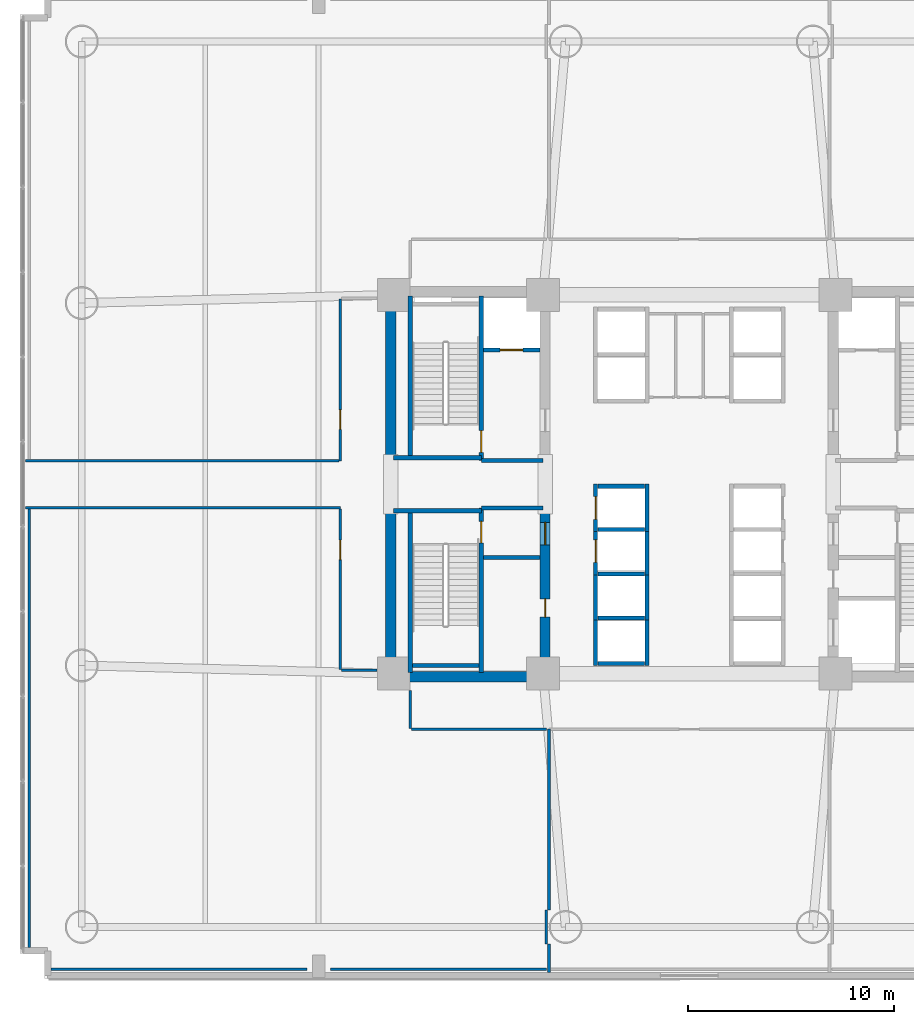
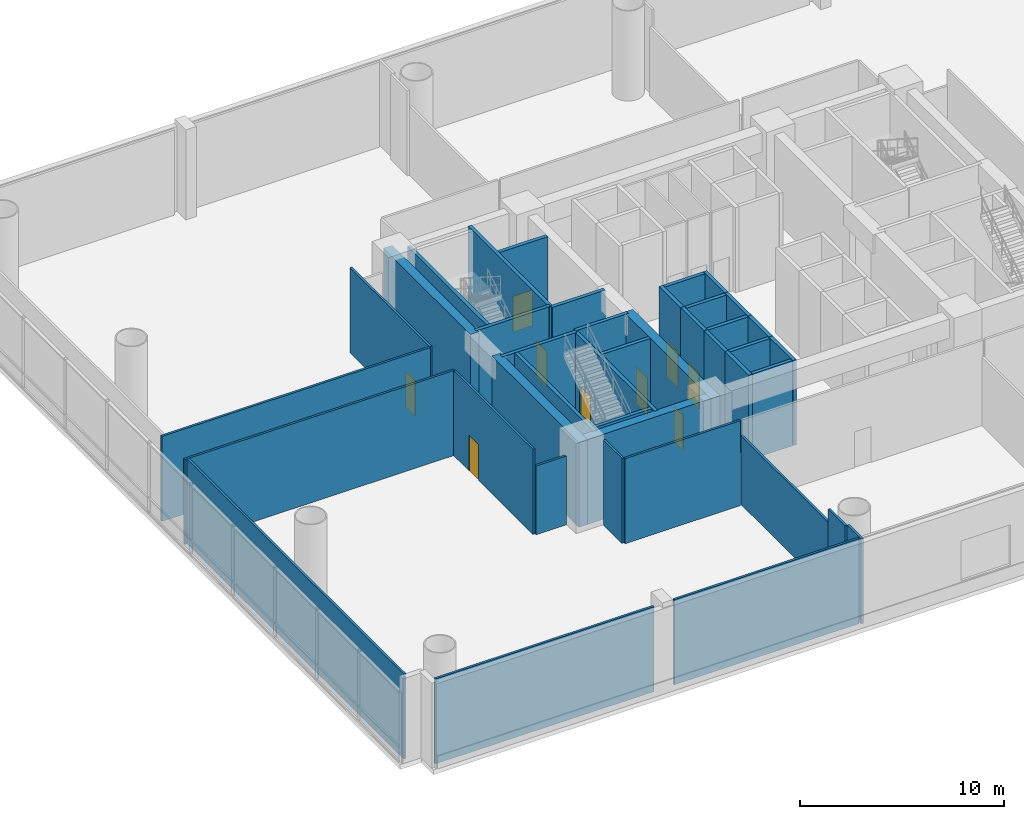
# One storey, part 7 of 15: 41 walls, 9 doors, 9 openings.
"""IFC4 building model written with IfcOpenShell, lengths in metres."""

from ifc_helpers import new_model, si_unit, direction, frame, frame_2d, origin, place, context, subcontext, project, spatial, rectangle, extrude, source, transform, mapped, material, layer, layer_set, type_object, element, fill, save


model = new_model("IFC4")

# Units and contexts
model_context = context("Model", 3, precision=1e-05, world=origin(), true_north=direction((0.0, 1.0)))
body_context = subcontext(model_context, "Body", "Model", "MODEL_VIEW")
ifc_project = project(units=[si_unit("LENGTHUNIT", "METRE"), si_unit("AREAUNIT", "SQUARE_METRE"), si_unit("VOLUMEUNIT", "CUBIC_METRE"), si_unit("PLANEANGLEUNIT", "RADIAN"), si_unit("MASSUNIT", "GRAM", prefix="KILO")], contexts=[model_context])

# Site, building, storey
site_placement = place(None, origin())
site = spatial("IfcSite", under=ifc_project, at=site_placement, CompositionType="ELEMENT")
building_placement = place(site_placement, origin())
building = spatial("IfcBuilding", under=site, at=building_placement, Name="Zahravan Cultural Tower", CompositionType="ELEMENT")
storey_placement = place(building_placement, frame((0.0, 0.0, 7.199951171875)))
storey = spatial("IfcBuildingStorey", under=building, at=storey_placement, Name="L01", CompositionType="ELEMENT", Elevation=7.199951171875)

# Wall, openings, doors
ifc_material_1 = material(Name="Concrete C60/75", Category="concrete")
ifc_layer_1 = layer(ifc_material_1, 0.5)
ifc_layer_set_1 = layer_set([ifc_layer_1], Name="Concrete C60/75")
wall_type_1 = type_object("IfcWallType", Name="CW-SHEAR-500-C60", PredefinedType="SHEAR", material=ifc_layer_set_1)
wall_1_placement = place(storey_placement, frame((29.0, 17.39990234375, 0.0), z_axis=(0.0, 0.0, 1.0), x_axis=(0.0, 1.0, 0.0)))
wall_1 = element("IfcWall", 1, at=wall_1_placement, inside=storey, type_object=wall_type_1, Name="L01 Core Shear Wall CW-W-ES-L01", PredefinedType="SHEAR", context=body_context, shape_type="SweptSolid", body=[
    extrude(rectangle(XDim=8.550048828125, YDim=0.5, at=frame_2d((4.27490234375, 0.0))), origin(), (0.0, 0.0, 1.0), 5.10009765625),
])
opening_1_placement = place(wall_1_placement, frame((6.64990234375, 0.0, 0.0)))
opening_1 = element("IfcOpeningElement", 2, at=opening_1_placement, cuts=wall_1, Name="Opening D-L01-07", PredefinedType="OPENING", context=body_context, shape_type="SweptSolid", body=[
    extrude(rectangle(XDim=1.10009765625, YDim=2.199951171875, at=frame_2d((0.550048828125, 1.10009765625))), frame((0.0, 0.260009765625, 0.0), z_axis=(0.0, -1.0, 0.0), x_axis=(1.0, 0.0, 0.0)), (0.0, 0.0, 1.0), 0.52001953125),
])
opening_2_placement = place(wall_1_placement, frame((3.14990234375, 0.0, 0.0)))
opening_2 = element("IfcOpeningElement", 3, at=opening_2_placement, cuts=wall_1, Name="Opening D-L01-09", PredefinedType="OPENING", context=body_context, shape_type="SweptSolid", body=[
    extrude(rectangle(XDim=0.8798828125, YDim=2.10009765625, at=frame_2d((0.43994140625, 1.050048828125))), frame((0.0, 0.260009765625, 0.0), z_axis=(0.0, -1.0, 0.0), x_axis=(1.0, 0.0, 0.0)), (0.0, 0.0, 1.0), 0.52001953125),
])
ifc_material_2 = material(Name="Steel ASTM A572 Grade 50", Category="steel")
door_type_1 = type_object("IfcDoorType", Name="DR-LOBBY-1100", OperationType="NOTDEFINED", PredefinedType="DOOR", material=ifc_material_2)
shared_shape_1 = source(origin(), body_context, "Body", "SweptSolid", [
    extrude(rectangle(XDim=1.10009765625, YDim=2.199951171875, at=frame_2d((0.550048828125, 1.10009765625))), frame((0.0, 0.02490234375, 0.0), z_axis=(0.0, -1.0, 0.0), x_axis=(1.0, 0.0, 0.0)), (0.0, 0.0, 1.0), 0.050048828125),
])
door_1_placement = place(opening_1_placement, origin())
door_1 = element("IfcDoor", 4, at=door_1_placement, inside=storey, type_object=door_type_1, Name="L01 Door D-L01-07", OperationType="SINGLE_SWING_LEFT", OverallHeight=2.199951171875, OverallWidth=1.10009765625, PredefinedType="DOOR", context=body_context, shape_type="MappedRepresentation", body=[
    mapped(shared_shape_1, transform((0.0, 0.0, 0.0), x_axis=(1.0, 0.0, 0.0), y_axis=(0.0, 1.0, 0.0), z_axis=(0.0, 0.0, 1.0), scale=1.0)),
])
fill(opening_1, door_1)
door_type_2 = type_object("IfcDoorType", Name="DR-SVC-880", OperationType="NOTDEFINED", PredefinedType="DOOR", material=ifc_material_2)
shared_shape_2 = source(origin(), body_context, "Body", "SweptSolid", [
    extrude(rectangle(XDim=0.8798828125, YDim=2.10009765625, at=frame_2d((0.43994140625, 1.050048828125))), frame((0.0, 0.02490234375, 0.0), z_axis=(0.0, -1.0, 0.0), x_axis=(1.0, 0.0, 0.0)), (0.0, 0.0, 1.0), 0.050048828125),
])
door_2_placement = place(opening_2_placement, origin())
door_2 = element("IfcDoor", 5, at=door_2_placement, inside=storey, type_object=door_type_2, Name="L01 Door D-L01-09", OperationType="SINGLE_SWING_LEFT", OverallHeight=2.10009765625, OverallWidth=0.8798828125, PredefinedType="DOOR", context=body_context, shape_type="MappedRepresentation", body=[
    mapped(shared_shape_2, transform((0.0, 0.0, 0.0), x_axis=(1.0, 0.0, 0.0), y_axis=(0.0, 1.0, 0.0), z_axis=(0.0, 0.0, 1.0), scale=1.0)),
])
fill(opening_2, door_2)

# Wall, opening, door
ifc_material_3 = material(Name="Gypsum plasterboard partition")
ifc_layer_2 = layer(ifc_material_3, 0.125)
ifc_layer_set_2 = layer_set([ifc_layer_2], Name="Gypsum plasterboard partition")
wall_type_2 = type_object("IfcWallType", Name="W-PART-125", PredefinedType="PARTITIONING", material=ifc_layer_set_2)
wall_2_placement = place(storey_placement, frame((19.06005859375, 25.79248046875, 0.0), z_axis=(0.0, 0.0, 1.0), x_axis=(0.0, -1.0, 0.0)))
wall_2 = element("IfcWall", 6, at=wall_2_placement, inside=storey, type_object=wall_type_2, Name="L01 Interior Wall 090", PredefinedType="PARTITIONING", context=body_context, shape_type="SweptSolid", body=[
    extrude(rectangle(XDim=7.78515625, YDim=0.125, at=frame_2d((3.892578125, 0.0))), origin(), (0.0, 0.0, 1.0), 5.10009765625),
])
opening_3_placement = place(wall_2_placement, frame((1.503662109375, 0.0, 0.0)))
opening_3 = element("IfcOpeningElement", 7, at=opening_3_placement, cuts=wall_2, Name="Opening D-L01-14", PredefinedType="OPENING", context=body_context, shape_type="SweptSolid", body=[
    extrude(rectangle(XDim=0.949951171875, YDim=2.14990234375, at=frame_2d((0.47509765625, 1.074951171875))), frame((0.0, 0.072509765625, 0.0), z_axis=(0.0, -1.0, 0.0), x_axis=(1.0, 0.0, 0.0)), (0.0, 0.0, 1.0), 0.14501953125),
])
ifc_material_4 = material(Name="Anodised bronze-aluminium mullion", Category="aluminium")
door_type_3 = type_object("IfcDoorType", Name="DR-ROOM-950", OperationType="NOTDEFINED", PredefinedType="DOOR", material=ifc_material_4)
shared_shape_3 = source(origin(), body_context, "Body", "SweptSolid", [
    extrude(rectangle(XDim=0.949951171875, YDim=2.14990234375, at=frame_2d((0.47509765625, 1.074951171875))), frame((0.0, 0.02490234375, 0.0), z_axis=(0.0, -1.0, 0.0), x_axis=(1.0, 0.0, 0.0)), (0.0, 0.0, 1.0), 0.050048828125),
])
door_3_placement = place(opening_3_placement, origin())
door_3 = element("IfcDoor", 8, at=door_3_placement, inside=storey, type_object=door_type_3, Name="L01 Door D-L01-14", OperationType="SINGLE_SWING_RIGHT", OverallHeight=2.14990234375, OverallWidth=0.949951171875, PredefinedType="DOOR", context=body_context, shape_type="MappedRepresentation", body=[
    mapped(shared_shape_3, transform((0.0, 0.0, 0.0), x_axis=(1.0, 0.0, 0.0), y_axis=(0.0, 1.0, 0.0), z_axis=(0.0, 0.0, 1.0), scale=1.0)),
])
fill(opening_3, door_3)

wall_3_placement = place(storey_placement, frame((19.06005859375, 35.994140625, 0.0), z_axis=(0.0, 0.0, 1.0), x_axis=(0.0, -1.0, 0.0)))
wall_3 = element("IfcWall", 9, at=wall_3_placement, inside=storey, type_object=wall_type_2, Name="L01 Interior Wall 099", PredefinedType="PARTITIONING", context=body_context, shape_type="SweptSolid", body=[
    extrude(rectangle(XDim=7.854248046875, YDim=0.125, at=frame_2d((3.92724609375, 0.0))), origin(), (0.0, 0.0, 1.0), 5.10009765625),
])
opening_4_placement = place(wall_3_placement, frame((5.38525390625, 0.0, 0.0)))
opening_4 = element("IfcOpeningElement", 10, at=opening_4_placement, cuts=wall_3, Name="Opening D-L01-15", PredefinedType="OPENING", context=body_context, shape_type="SweptSolid", body=[
    extrude(rectangle(XDim=0.949951171875, YDim=2.14990234375, at=frame_2d((0.47509765625, 1.074951171875))), frame((0.0, 0.072509765625, 0.0), z_axis=(0.0, -1.0, 0.0), x_axis=(1.0, 0.0, 0.0)), (0.0, 0.0, 1.0), 0.14501953125),
])
door_4_placement = place(opening_4_placement, origin())
door_4 = element("IfcDoor", 11, at=door_4_placement, inside=storey, type_object=door_type_3, Name="L01 Door D-L01-15", OperationType="SINGLE_SWING_LEFT", OverallHeight=2.14990234375, OverallWidth=0.949951171875, PredefinedType="DOOR", context=body_context, shape_type="MappedRepresentation", body=[
    mapped(shared_shape_3, transform((0.0, 0.0, 0.0), x_axis=(1.0, 0.0, 0.0), y_axis=(0.0, 1.0, 0.0), z_axis=(0.0, 0.0, 1.0), scale=1.0)),
])
fill(opening_4, door_4)

ifc_material_5 = material(Name="Concrete C45/55", Category="concrete")
ifc_layer_3 = layer(ifc_material_5, 0.199951171875)
ifc_layer_set_3 = layer_set([ifc_layer_3], Name="Concrete C45/55")
wall_type_3 = type_object("IfcWallType", Name="W-SHAFT-200", PredefinedType="SOLIDWALL", material=ifc_layer_set_3)
wall_4_placement = place(storey_placement, frame((25.89990234375, 17.85009765625, 0.0), z_axis=(0.0, 0.0, 1.0), x_axis=(0.0, 1.0, 0.0)))
wall_4 = element("IfcWall", 12, at=wall_4_placement, inside=storey, type_object=wall_type_3, Name="L01 Interior Wall 005", PredefinedType="SOLIDWALL", context=body_context, shape_type="SweptSolid", body=[
    extrude(rectangle(XDim=8.0, YDim=0.199951171875, at=frame_2d((4.0, 0.0))), origin(), (0.0, 0.0, 1.0), 5.10009765625),
])
opening_5_placement = place(wall_4_placement, frame((6.300048828125, 0.0, 0.0)))
opening_5 = element("IfcOpeningElement", 13, at=opening_5_placement, cuts=wall_4, Name="Opening D-L01-04", PredefinedType="OPENING", context=body_context, shape_type="SweptSolid", body=[
    extrude(rectangle(XDim=1.050048828125, YDim=2.14990234375, at=frame_2d((0.52490234375, 1.074951171875))), frame((0.0, 0.10986328125, 0.0), z_axis=(0.0, -1.0, 0.0), x_axis=(1.0, 0.0, 0.0)), (0.0, 0.0, 1.0), 0.219970703125),
])
door_type_4 = type_object("IfcDoorType", Name="DR-STAIR-1050", OperationType="NOTDEFINED", PredefinedType="DOOR", material=ifc_material_2)
shared_shape_4 = source(origin(), body_context, "Body", "SweptSolid", [
    extrude(rectangle(XDim=1.050048828125, YDim=2.14990234375, at=frame_2d((0.52490234375, 1.074951171875))), frame((0.0, 0.02490234375, 0.0), z_axis=(0.0, -1.0, 0.0), x_axis=(1.0, 0.0, 0.0)), (0.0, 0.0, 1.0), 0.050048828125),
])
door_5_placement = place(opening_5_placement, origin())
door_5 = element("IfcDoor", 14, at=door_5_placement, inside=storey, type_object=door_type_4, Name="L01 Door D-L01-04", OperationType="SINGLE_SWING_RIGHT", OverallHeight=2.14990234375, OverallWidth=1.050048828125, PredefinedType="DOOR", context=body_context, shape_type="MappedRepresentation", body=[
    mapped(shared_shape_4, transform((0.0, 0.0, 0.0), x_axis=(1.0, 0.0, 0.0), y_axis=(0.0, 1.0, 0.0), z_axis=(0.0, 0.0, 1.0), scale=1.0)),
])
fill(opening_5, door_5)

wall_5_placement = place(storey_placement, frame((25.89990234375, 28.14990234375, 0.0), z_axis=(0.0, 0.0, 1.0), x_axis=(0.0, 1.0, 0.0)))
wall_5 = element("IfcWall", 15, at=wall_5_placement, inside=storey, type_object=wall_type_3, Name="L01 Interior Wall 006", PredefinedType="SOLIDWALL", context=body_context, shape_type="SweptSolid", body=[
    extrude(rectangle(XDim=8.0, YDim=0.199951171875, at=frame_2d((4.0, 0.0))), origin(), (0.0, 0.0, 1.0), 5.10009765625),
])
opening_6_placement = place(wall_5_placement, frame((0.39990234375, 0.0, 0.0)))
opening_6 = element("IfcOpeningElement", 16, at=opening_6_placement, cuts=wall_5, Name="Opening D-L01-01", PredefinedType="OPENING", context=body_context, shape_type="SweptSolid", body=[
    extrude(rectangle(XDim=1.050048828125, YDim=2.14990234375, at=frame_2d((0.52490234375, 1.074951171875))), frame((0.0, 0.10986328125, 0.0), z_axis=(0.0, -1.0, 0.0), x_axis=(1.0, 0.0, 0.0)), (0.0, 0.0, 1.0), 0.219970703125),
])
door_6_placement = place(opening_6_placement, origin())
door_6 = element("IfcDoor", 17, at=door_6_placement, inside=storey, type_object=door_type_4, Name="L01 Door D-L01-01", OperationType="SINGLE_SWING_LEFT", OverallHeight=2.14990234375, OverallWidth=1.050048828125, PredefinedType="DOOR", context=body_context, shape_type="MappedRepresentation", body=[
    mapped(shared_shape_4, transform((0.0, 0.0, 0.0), x_axis=(1.0, 0.0, 0.0), y_axis=(0.0, 1.0, 0.0), z_axis=(0.0, 0.0, 1.0), scale=1.0)),
])
fill(opening_6, door_6)

wall_6_placement = place(storey_placement, frame((26.0, 33.52001953125, 0.0), z_axis=(0.0, 0.0, 1.0), x_axis=(1.0, 0.0, 0.0)))
wall_6 = element("IfcWall", 18, at=wall_6_placement, inside=storey, type_object=wall_type_3, Name="L01 Interior Wall 021", PredefinedType="SOLIDWALL", context=body_context, shape_type="SweptSolid", body=[
    extrude(rectangle(XDim=2.75, YDim=0.199951171875, at=frame_2d((1.375, 0.0))), origin(), (0.0, 0.0, 1.0), 5.10009765625),
])
opening_7_placement = place(wall_6_placement, frame((0.820068359375, 0.0, 0.0)))
opening_7 = element("IfcOpeningElement", 19, at=opening_7_placement, cuts=wall_6, Name="Opening LD-L01-01", PredefinedType="OPENING", context=body_context, shape_type="SweptSolid", body=[
    extrude(rectangle(XDim=1.10009765625, YDim=2.14990234375, at=frame_2d((0.550048828125, 1.074951171875))), frame((0.0, 0.10986328125, 0.0), z_axis=(0.0, -1.0, 0.0), x_axis=(1.0, 0.0, 0.0)), (0.0, 0.0, 1.0), 0.219970703125),
])
door_type_5 = type_object("IfcDoorType", Name="DR-LIFT-1100", OperationType="DOUBLE_DOOR_SLIDING", PredefinedType="DOOR", material=ifc_material_2)
shared_shape_5 = source(origin(), body_context, "Body", "SweptSolid", [
    extrude(rectangle(XDim=1.10009765625, YDim=2.14990234375, at=frame_2d((0.550048828125, 1.074951171875))), frame((0.0, 0.02490234375, 0.0), z_axis=(0.0, -1.0, 0.0), x_axis=(1.0, 0.0, 0.0)), (0.0, 0.0, 1.0), 0.050048828125),
])
door_7_placement = place(opening_7_placement, origin())
door_7 = element("IfcDoor", 20, at=door_7_placement, inside=storey, type_object=door_type_5, Name="L01 Door LD-L01-01", OperationType="DOUBLE_DOOR_SLIDING", OverallHeight=2.14990234375, OverallWidth=1.10009765625, PredefinedType="DOOR", context=body_context, shape_type="MappedRepresentation", body=[
    mapped(shared_shape_5, transform((0.0, 0.0, 0.0), x_axis=(1.0, 0.0, 0.0), y_axis=(0.0, 1.0, 0.0), z_axis=(0.0, 0.0, 1.0), scale=1.0)),
])
fill(opening_7, door_7)

wall_7_placement = place(storey_placement, frame((31.449951171875, 24.699951171875, 0.0), z_axis=(0.0, 0.0, 1.0), x_axis=(0.0, 1.0, 0.0)))
wall_7 = element("IfcWall", 21, at=wall_7_placement, inside=storey, type_object=wall_type_3, Name="L01 Interior Wall 054", PredefinedType="SOLIDWALL", context=body_context, shape_type="SweptSolid", body=[
    extrude(rectangle(XDim=2.300048828125, YDim=0.199951171875, at=frame_2d((1.14990234375, 0.0))), origin(), (0.0, 0.0, 1.0), 5.10009765625),
])
opening_8_placement = place(wall_7_placement, frame((0.60009765625, 0.0, 0.0)))
opening_8 = element("IfcOpeningElement", 22, at=opening_8_placement, cuts=wall_7, Name="Opening LD-L01-04", PredefinedType="OPENING", context=body_context, shape_type="SweptSolid", body=[
    extrude(rectangle(XDim=1.10009765625, YDim=2.14990234375, at=frame_2d((0.550048828125, 1.074951171875))), frame((0.0, 0.10986328125, 0.0), z_axis=(0.0, -1.0, 0.0), x_axis=(1.0, 0.0, 0.0)), (0.0, 0.0, 1.0), 0.219970703125),
])
door_8_placement = place(opening_8_placement, origin())
door_8 = element("IfcDoor", 23, at=door_8_placement, inside=storey, type_object=door_type_5, Name="L01 Door LD-L01-04", OperationType="DOUBLE_DOOR_SLIDING", OverallHeight=2.14990234375, OverallWidth=1.10009765625, PredefinedType="DOOR", context=body_context, shape_type="MappedRepresentation", body=[
    mapped(shared_shape_5, transform((0.0, 0.0, 0.0), x_axis=(1.0, 0.0, 0.0), y_axis=(0.0, 1.0, 0.0), z_axis=(0.0, 0.0, 1.0), scale=1.0)),
])
fill(opening_8, door_8)

wall_8_placement = place(storey_placement, frame((31.449951171875, 22.60009765625, 0.0), z_axis=(0.0, 0.0, 1.0), x_axis=(0.0, 1.0, 0.0)))
wall_8 = element("IfcWall", 24, at=wall_8_placement, inside=storey, type_object=wall_type_3, Name="L01 Interior Wall 058", PredefinedType="SOLIDWALL", context=body_context, shape_type="SweptSolid", body=[
    extrude(rectangle(XDim=2.2998046875, YDim=0.199951171875, at=frame_2d((1.14990234375, 0.0))), origin(), (0.0, 0.0, 1.0), 5.10009765625),
])
opening_9_placement = place(wall_8_placement, frame((0.60009765625, 0.0, 0.0)))
opening_9 = element("IfcOpeningElement", 25, at=opening_9_placement, cuts=wall_8, Name="Opening LD-L01-05", PredefinedType="OPENING", context=body_context, shape_type="SweptSolid", body=[
    extrude(rectangle(XDim=1.10009765625, YDim=2.14990234375, at=frame_2d((0.550048828125, 1.074951171875))), frame((0.0, 0.10986328125, 0.0), z_axis=(0.0, -1.0, 0.0), x_axis=(1.0, 0.0, 0.0)), (0.0, 0.0, 1.0), 0.219970703125),
])
door_9_placement = place(opening_9_placement, origin())
door_9 = element("IfcDoor", 26, at=door_9_placement, inside=storey, type_object=door_type_5, Name="L01 Door LD-L01-05", OperationType="DOUBLE_DOOR_SLIDING", OverallHeight=2.14990234375, OverallWidth=1.10009765625, PredefinedType="DOOR", context=body_context, shape_type="MappedRepresentation", body=[
    mapped(shared_shape_5, transform((0.0, 0.0, 0.0), x_axis=(1.0, 0.0, 0.0), y_axis=(0.0, 1.0, 0.0), z_axis=(0.0, 0.0, 1.0), scale=1.0)),
])
fill(opening_9, door_9)

# Walls
shared_shape_6 = source(origin(), body_context, "Body", "SweptSolid", [
    extrude(rectangle(XDim=8.550048828125, YDim=0.5, at=frame_2d((4.27490234375, 0.0))), origin(), (0.0, 0.0, 1.0), 5.10009765625),
])
for number, where, z_axis, x_axis, name in (
    (27, (21.5, 17.39990234375, 0.0), (0.0, 0.0, 1.0), (0.0, 1.0, 0.0), "L01 Core Shear Wall CW-W-WS-L01"),
    (28, (21.5, 28.050048828125, 0.0), (0.0, 0.0, 1.0), (0.0, 1.0, 0.0), "L01 Core Shear Wall CW-W-WN-L01"),
):
    element("IfcWall", number, at=place(storey_placement, frame(where, z_axis=z_axis, x_axis=x_axis)), inside=storey, type_object=wall_type_1, Name=name, PredefinedType="SHEAR", context=body_context, shape_type="MappedRepresentation", body=[
        mapped(shared_shape_6, transform((0.0, 0.0, 0.0), x_axis=(1.0, 0.0, 0.0), y_axis=(0.0, 1.0, 0.0), z_axis=(0.0, 0.0, 1.0), scale=1.0)),
    ])
shared_shape_7 = source(origin(), body_context, "Body", "SweptSolid", [
    extrude(rectangle(XDim=7.0, YDim=0.5, at=frame_2d((3.5, 0.0))), origin(), (0.0, 0.0, 1.0), 5.10009765625),
])
wall_9_placement = place(storey_placement, frame((21.75, 17.64990234375, 0.0), z_axis=(0.0, 0.0, 1.0), x_axis=(1.0, 0.0, 0.0)))
element("IfcWall", 29, at=wall_9_placement, inside=storey, type_object=wall_type_1, Name="L01 Core Shear Wall CW-W-S-L01", PredefinedType="SHEAR", context=body_context, shape_type="MappedRepresentation", body=[
    mapped(shared_shape_7, transform((0.0, 0.0, 0.0), x_axis=(1.0, 0.0, 0.0), y_axis=(0.0, 1.0, 0.0), z_axis=(0.0, 0.0, 1.0), scale=1.0)),
])
shared_shape_8 = source(origin(), body_context, "Body", "SweptSolid", [
    extrude(rectangle(XDim=7.869873046875, YDim=0.199951171875, at=frame_2d((3.93505859375, 0.0))), origin(), (0.0, 0.0, 1.0), 5.10009765625),
])
for number, where, z_axis, x_axis, name in (
    (30, (22.449951171875, 17.85009765625, 0.0), (0.0, 0.0, 1.0), (0.0, 1.0, 0.0), "L01 Interior Wall 001"),
    (31, (22.449951171875, 28.280029296875, 0.0), (0.0, 0.0, 1.0), (0.0, 1.0, 0.0), "L01 Interior Wall 002"),
):
    element("IfcWall", number, at=place(storey_placement, frame(where, z_axis=z_axis, x_axis=x_axis)), inside=storey, type_object=wall_type_3, Name=name, PredefinedType="SOLIDWALL", context=body_context, shape_type="MappedRepresentation", body=[
        mapped(shared_shape_8, transform((0.0, 0.0, 0.0), x_axis=(1.0, 0.0, 0.0), y_axis=(0.0, 1.0, 0.0), z_axis=(0.0, 0.0, 1.0), scale=1.0)),
    ])
shared_shape_9 = source(origin(), body_context, "Body", "SweptSolid", [
    extrude(rectangle(XDim=4.25, YDim=0.199951171875, at=frame_2d((2.125, 0.0))), origin(), (0.0, 0.0, 1.0), 5.10009765625),
])
for number, where, z_axis, x_axis, name in (
    (32, (21.64990234375, 25.715087890625, 0.0), (0.0, 0.0, 1.0), (1.0, 0.0, 0.0), "L01 Interior Wall 009"),
    (33, (21.64990234375, 28.284912109375, 0.0), (0.0, 0.0, 1.0), (1.0, 0.0, 0.0), "L01 Interior Wall 011"),
):
    element("IfcWall", number, at=place(storey_placement, frame(where, z_axis=z_axis, x_axis=x_axis)), inside=storey, type_object=wall_type_3, Name=name, PredefinedType="SOLIDWALL", context=body_context, shape_type="MappedRepresentation", body=[
        mapped(shared_shape_9, transform((0.0, 0.0, 0.0), x_axis=(1.0, 0.0, 0.0), y_axis=(0.0, 1.0, 0.0), z_axis=(0.0, 0.0, 1.0), scale=1.0)),
    ])
shared_shape_10 = source(origin(), body_context, "Body", "SweptSolid", [
    extrude(rectangle(XDim=3.0, YDim=0.199951171875, at=frame_2d((1.5, 0.0))), origin(), (0.0, 0.0, 1.0), 5.10009765625),
])
for number, where, z_axis, x_axis, name in (
    (34, (25.89990234375, 25.85009765625, 0.0), (0.0, 0.0, 1.0), (1.0, 0.0, 0.0), "L01 Interior Wall 010"),
    (35, (25.89990234375, 28.14990234375, 0.0), (0.0, 0.0, 1.0), (1.0, 0.0, 0.0), "L01 Interior Wall 012"),
):
    element("IfcWall", number, at=place(storey_placement, frame(where, z_axis=z_axis, x_axis=x_axis)), inside=storey, type_object=wall_type_3, Name=name, PredefinedType="SOLIDWALL", context=body_context, shape_type="MappedRepresentation", body=[
        mapped(shared_shape_10, transform((0.0, 0.0, 0.0), x_axis=(1.0, 0.0, 0.0), y_axis=(0.0, 1.0, 0.0), z_axis=(0.0, 0.0, 1.0), scale=1.0)),
    ])
shared_shape_11 = source(origin(), body_context, "Body", "SweptSolid", [
    extrude(rectangle(XDim=3.25, YDim=0.199951171875, at=frame_2d((1.625, 0.0))), origin(), (0.0, 0.0, 1.0), 5.10009765625),
])
wall_10_placement = place(storey_placement, frame((22.550048828125, 18.199951171875, 0.0), z_axis=(0.0, 0.0, 1.0), x_axis=(1.0, 0.0, 0.0)))
element("IfcWall", 36, at=wall_10_placement, inside=storey, type_object=wall_type_3, Name="L01 Interior Wall 019", PredefinedType="SOLIDWALL", context=body_context, shape_type="MappedRepresentation", body=[
    mapped(shared_shape_11, transform((0.0, 0.0, 0.0), x_axis=(1.0, 0.0, 0.0), y_axis=(0.0, 1.0, 0.0), z_axis=(0.0, 0.0, 1.0), scale=1.0)),
])
shared_shape_12 = source(origin(), body_context, "Body", "SweptSolid", [
    extrude(rectangle(XDim=2.75, YDim=0.199951171875, at=frame_2d((1.375, 0.0))), origin(), (0.0, 0.0, 1.0), 5.10009765625),
])
wall_11_placement = place(storey_placement, frame((26.0, 23.449951171875, 0.0), z_axis=(0.0, 0.0, 1.0), x_axis=(1.0, 0.0, 0.0)))
element("IfcWall", 37, at=wall_11_placement, inside=storey, type_object=wall_type_3, Name="L01 Interior Wall 023", PredefinedType="SOLIDWALL", context=body_context, shape_type="MappedRepresentation", body=[
    mapped(shared_shape_12, transform((0.0, 0.0, 0.0), x_axis=(1.0, 0.0, 0.0), y_axis=(0.0, 1.0, 0.0), z_axis=(0.0, 0.0, 1.0), scale=1.0)),
])
shared_shape_13 = source(origin(), body_context, "Body", "SweptSolid", [
    extrude(rectangle(XDim=2.260009765625, YDim=0.199951171875, at=frame_2d((1.1298828125, 0.0))), origin(), (0.0, 0.0, 1.0), 5.10009765625),
])
for number, where, z_axis, x_axis, name in (
    (38, (31.570068359375, 20.5, 0.0), (0.0, 0.0, 1.0), (1.0, 0.0, 0.0), "L01 Interior Wall 042"),
    (39, (31.570068359375, 22.64990234375, 0.0), (0.0, 0.0, 1.0), (1.0, 0.0, 0.0), "L01 Interior Wall 043"),
    (40, (31.570068359375, 18.300048828125, 0.0), (0.0, 0.0, 1.0), (1.0, 0.0, 0.0), "L01 Interior Wall 046"),
    (41, (31.570068359375, 24.800048828125, 0.0), (0.0, 0.0, 1.0), (1.0, 0.0, 0.0), "L01 Interior Wall 056"),
    (42, (31.570068359375, 26.89990234375, 0.0), (0.0, 0.0, 1.0), (1.0, 0.0, 0.0), "L01 Interior Wall 057"),
):
    element("IfcWall", number, at=place(storey_placement, frame(where, z_axis=z_axis, x_axis=x_axis)), inside=storey, type_object=wall_type_3, Name=name, PredefinedType="SOLIDWALL", context=body_context, shape_type="MappedRepresentation", body=[
        mapped(shared_shape_13, transform((0.0, 0.0, 0.0), x_axis=(1.0, 0.0, 0.0), y_axis=(0.0, 1.0, 0.0), z_axis=(0.0, 0.0, 1.0), scale=1.0)),
    ])
shared_shape_14 = source(origin(), body_context, "Body", "SweptSolid", [
    extrude(rectangle(XDim=2.35009765625, YDim=0.199951171875, at=frame_2d((1.175048828125, 0.0))), origin(), (0.0, 0.0, 1.0), 5.10009765625),
])
for number, where, z_axis, x_axis, name in (
    (43, (31.449951171875, 20.39990234375, 0.0), (0.0, 0.0, 1.0), (0.0, 1.0, 0.0), "L01 Interior Wall 040"),
    (44, (33.949951171875, 20.39990234375, 0.0), (0.0, 0.0, 1.0), (0.0, 1.0, 0.0), "L01 Interior Wall 041"),
    (45, (31.449951171875, 18.199951171875, 0.0), (0.0, 0.0, 1.0), (0.0, 1.0, 0.0), "L01 Interior Wall 044"),
    (46, (33.949951171875, 18.199951171875, 0.0), (0.0, 0.0, 1.0), (0.0, 1.0, 0.0), "L01 Interior Wall 045"),
):
    element("IfcWall", number, at=place(storey_placement, frame(where, z_axis=z_axis, x_axis=x_axis)), inside=storey, type_object=wall_type_3, Name=name, PredefinedType="SOLIDWALL", context=body_context, shape_type="MappedRepresentation", body=[
        mapped(shared_shape_14, transform((0.0, 0.0, 0.0), x_axis=(1.0, 0.0, 0.0), y_axis=(0.0, 1.0, 0.0), z_axis=(0.0, 0.0, 1.0), scale=1.0)),
    ])
shared_shape_15 = source(origin(), body_context, "Body", "SweptSolid", [
    extrude(rectangle(XDim=2.300048828125, YDim=0.199951171875, at=frame_2d((1.14990234375, 0.0))), origin(), (0.0, 0.0, 1.0), 5.10009765625),
])
wall_12_placement = place(storey_placement, frame((33.949951171875, 24.699951171875, 0.0), z_axis=(0.0, 0.0, 1.0), x_axis=(0.0, 1.0, 0.0)))
element("IfcWall", 47, at=wall_12_placement, inside=storey, type_object=wall_type_3, Name="L01 Interior Wall 055", PredefinedType="SOLIDWALL", context=body_context, shape_type="MappedRepresentation", body=[
    mapped(shared_shape_15, transform((0.0, 0.0, 0.0), x_axis=(1.0, 0.0, 0.0), y_axis=(0.0, 1.0, 0.0), z_axis=(0.0, 0.0, 1.0), scale=1.0)),
])
shared_shape_16 = source(origin(), body_context, "Body", "SweptSolid", [
    extrude(rectangle(XDim=2.2998046875, YDim=0.199951171875, at=frame_2d((1.14990234375, 0.0))), origin(), (0.0, 0.0, 1.0), 5.10009765625),
])
wall_13_placement = place(storey_placement, frame((33.949951171875, 22.60009765625, 0.0), z_axis=(0.0, 0.0, 1.0), x_axis=(0.0, 1.0, 0.0)))
element("IfcWall", 48, at=wall_13_placement, inside=storey, type_object=wall_type_3, Name="L01 Interior Wall 059", PredefinedType="SOLIDWALL", context=body_context, shape_type="MappedRepresentation", body=[
    mapped(shared_shape_16, transform((0.0, 0.0, 0.0), x_axis=(1.0, 0.0, 0.0), y_axis=(0.0, 1.0, 0.0), z_axis=(0.0, 0.0, 1.0), scale=1.0)),
])
shared_shape_17 = source(origin(), body_context, "Body", "SweptSolid", [
    extrude(rectangle(XDim=1.3798828125, YDim=0.125, at=frame_2d((0.68994140625, 0.0))), origin(), (0.0, 0.0, 1.0), 5.10009765625),
])
wall_14_placement = place(storey_placement, frame((29.18994140625, 3.300048828125, 0.0), z_axis=(0.0, 0.0, 1.0), x_axis=(0.0, 1.0, 0.0)))
element("IfcWall", 49, at=wall_14_placement, inside=storey, type_object=wall_type_2, Name="L01 Interior Wall 075", PredefinedType="PARTITIONING", context=body_context, shape_type="MappedRepresentation", body=[
    mapped(shared_shape_17, transform((0.0, 0.0, 0.0), x_axis=(1.0, 0.0, 0.0), y_axis=(0.0, 1.0, 0.0), z_axis=(0.0, 0.0, 1.0), scale=1.0)),
])
shared_shape_18 = source(origin(), body_context, "Body", "SweptSolid", [
    extrude(rectangle(XDim=8.7900390625, YDim=0.125, at=frame_2d((4.39501953125, 0.0))), origin(), (0.0, 0.0, 1.0), 4.126953125),
])
wall_15_placement = place(storey_placement, frame((29.18994140625, 6.320068359375, 0.0), z_axis=(0.0, 0.0, 1.0), x_axis=(0.0, 1.0, 0.0)))
element("IfcWall", 50, at=wall_15_placement, inside=storey, type_object=wall_type_2, Name="L01 Interior Wall 076", PredefinedType="PARTITIONING", context=body_context, shape_type="MappedRepresentation", body=[
    mapped(shared_shape_18, transform((0.0, 0.0, 0.0), x_axis=(1.0, 0.0, 0.0), y_axis=(0.0, 1.0, 0.0), z_axis=(0.0, 0.0, 1.0), scale=1.0)),
])
shared_shape_19 = source(origin(), body_context, "Body", "SweptSolid", [
    extrude(rectangle(XDim=10.489990234375, YDim=0.125, at=frame_2d((5.2451171875, 0.0))), origin(), (0.0, 0.0, 1.0), 5.10009765625),
])
wall_16_placement = place(storey_placement, frame((29.06005859375, 3.43994140625, 0.0), z_axis=(0.0, 0.0, 1.0), x_axis=(-1.0, 0.0, 0.0)))
element("IfcWall", 51, at=wall_16_placement, inside=storey, type_object=wall_type_2, Name="L01 Interior Wall 086", PredefinedType="PARTITIONING", context=body_context, shape_type="MappedRepresentation", body=[
    mapped(shared_shape_19, transform((0.0, 0.0, 0.0), x_axis=(1.0, 0.0, 0.0), y_axis=(0.0, 1.0, 0.0), z_axis=(0.0, 0.0, 1.0), scale=1.0)),
])
shared_shape_20 = source(origin(), body_context, "Body", "SweptSolid", [
    extrude(rectangle(XDim=12.425048828125, YDim=0.125, at=frame_2d((6.21240234375, 0.0))), origin(), (0.0, 0.0, 1.0), 5.10009765625),
])
wall_17_placement = place(storey_placement, frame((17.429931640625, 3.43994140625, 0.0), z_axis=(0.0, 0.0, 1.0), x_axis=(-1.0, 0.0, 0.0)))
element("IfcWall", 52, at=wall_17_placement, inside=storey, type_object=wall_type_2, Name="L01 Interior Wall 087", PredefinedType="PARTITIONING", context=body_context, shape_type="MappedRepresentation", body=[
    mapped(shared_shape_20, transform((0.0, 0.0, 0.0), x_axis=(1.0, 0.0, 0.0), y_axis=(0.0, 1.0, 0.0), z_axis=(0.0, 0.0, 1.0), scale=1.0)),
])
shared_shape_21 = source(origin(), body_context, "Body", "SweptSolid", [
    extrude(rectangle(XDim=21.355224609375, YDim=0.125, at=frame_2d((10.677734375, 0.0))), origin(), (0.0, 0.0, 1.0), 5.10009765625),
])
wall_18_placement = place(storey_placement, frame((3.93994140625, 4.5048828125, 0.0), z_axis=(0.0, 0.0, 1.0), x_axis=(0.0, 1.0, 0.0)))
element("IfcWall", 53, at=wall_18_placement, inside=storey, type_object=wall_type_2, Name="L01 Interior Wall 088", PredefinedType="PARTITIONING", context=body_context, shape_type="MappedRepresentation", body=[
    mapped(shared_shape_21, transform((0.0, 0.0, 0.0), x_axis=(1.0, 0.0, 0.0), y_axis=(0.0, 1.0, 0.0), z_axis=(0.0, 0.0, 1.0), scale=1.0)),
])
shared_shape_22 = source(origin(), body_context, "Body", "SweptSolid", [
    extrude(rectangle(XDim=15.300048828125, YDim=0.125, at=frame_2d((7.64990234375, 0.0))), origin(), (0.0, 0.0, 1.0), 5.10009765625),
])
wall_19_placement = place(storey_placement, frame((3.760009765625, 25.860107421875, 0.0), z_axis=(0.0, 0.0, 1.0), x_axis=(1.0, 0.0, 0.0)))
element("IfcWall", 54, at=wall_19_placement, inside=storey, type_object=wall_type_2, Name="L01 Interior Wall 089", PredefinedType="PARTITIONING", context=body_context, shape_type="MappedRepresentation", body=[
    mapped(shared_shape_22, transform((0.0, 0.0, 0.0), x_axis=(1.0, 0.0, 0.0), y_axis=(0.0, 1.0, 0.0), z_axis=(0.0, 0.0, 1.0), scale=1.0)),
])
shared_shape_23 = source(origin(), body_context, "Body", "SweptSolid", [
    extrude(rectangle(XDim=1.72412109375, YDim=0.125, at=frame_2d((0.862060546875, 0.0))), origin(), (0.0, 0.0, 1.0), 4.126953125),
])
wall_20_placement = place(storey_placement, frame((19.10595703125, 17.9599609375, 0.0), z_axis=(0.0, 0.0, 1.0), x_axis=(1.0, 0.0, 0.0)))
element("IfcWall", 55, at=wall_20_placement, inside=storey, type_object=wall_type_2, Name="L01 Interior Wall 091", PredefinedType="PARTITIONING", context=body_context, shape_type="MappedRepresentation", body=[
    mapped(shared_shape_23, transform((0.0, 0.0, 0.0), x_axis=(1.0, 0.0, 0.0), y_axis=(0.0, 1.0, 0.0), z_axis=(0.0, 0.0, 1.0), scale=1.0)),
])
shared_shape_24 = source(origin(), body_context, "Body", "SweptSolid", [
    extrude(rectangle(XDim=1.830810546875, YDim=0.125, at=frame_2d((0.91552734375, 0.0))), origin(), (0.0, 0.0, 1.0), 5.10009765625),
])
wall_21_placement = place(storey_placement, frame((22.460205078125, 16.97998046875, 0.0), z_axis=(0.0, 0.0, 1.0), x_axis=(0.000133351112, -0.999999991109, 0.0)))
element("IfcWall", 56, at=wall_21_placement, inside=storey, type_object=wall_type_2, Name="L01 Interior Wall 092", PredefinedType="PARTITIONING", context=body_context, shape_type="MappedRepresentation", body=[
    mapped(shared_shape_24, transform((0.0, 0.0, 0.0), x_axis=(1.0, 0.0, 0.0), y_axis=(0.0, 1.0, 0.0), z_axis=(0.0, 0.0, 1.0), scale=1.0)),
])
shared_shape_25 = source(origin(), body_context, "Body", "SweptSolid", [
    extrude(rectangle(XDim=6.55419921875, YDim=0.125, at=frame_2d((3.277099609375, 0.0))), origin(), (0.0, 0.0, 1.0), 5.10009765625),
])
wall_22_placement = place(storey_placement, frame((22.505859375, 15.110107421875, 0.0), z_axis=(0.0, 0.0, 1.0), x_axis=(1.0, 0.0, 0.0)))
element("IfcWall", 57, at=wall_22_placement, inside=storey, type_object=wall_type_2, Name="L01 Interior Wall 093", PredefinedType="PARTITIONING", context=body_context, shape_type="MappedRepresentation", body=[
    mapped(shared_shape_25, transform((0.0, 0.0, 0.0), x_axis=(1.0, 0.0, 0.0), y_axis=(0.0, 1.0, 0.0), z_axis=(0.0, 0.0, 1.0), scale=1.0)),
])
shared_shape_26 = source(origin(), body_context, "Body", "SweptSolid", [
    extrude(rectangle(XDim=1.64013671875, YDim=0.125, at=frame_2d((0.820068359375, 0.0))), origin(), (0.0, 0.0, 1.0), 5.10009765625),
])
wall_23_placement = place(storey_placement, frame((29.06005859375, 6.320068359375, 0.0), z_axis=(0.0, 0.0, 1.0), x_axis=(0.0, -1.0, 0.0)))
element("IfcWall", 58, at=wall_23_placement, inside=storey, type_object=wall_type_2, Name="L01 Interior Wall 094", PredefinedType="PARTITIONING", context=body_context, shape_type="MappedRepresentation", body=[
    mapped(shared_shape_26, transform((0.0, 0.0, 0.0), x_axis=(1.0, 0.0, 0.0), y_axis=(0.0, 1.0, 0.0), z_axis=(0.0, 0.0, 1.0), scale=1.0)),
])
shared_shape_27 = source(origin(), body_context, "Body", "SweptSolid", [
    extrude(rectangle(XDim=15.2275390625, YDim=0.125, at=frame_2d((7.61376953125, 0.0))), origin(), (0.0, 0.0, 1.0), 5.10009765625),
])
wall_24_placement = place(storey_placement, frame((18.992431640625, 28.139892578125, 0.0), z_axis=(0.0, 0.0, 1.0), x_axis=(-1.0, 0.0, 0.0)))
element("IfcWall", 59, at=wall_24_placement, inside=storey, type_object=wall_type_2, Name="L01 Interior Wall 100", PredefinedType="PARTITIONING", context=body_context, shape_type="MappedRepresentation", body=[
    mapped(shared_shape_27, transform((0.0, 0.0, 0.0), x_axis=(1.0, 0.0, 0.0), y_axis=(0.0, 1.0, 0.0), z_axis=(0.0, 0.0, 1.0), scale=1.0)),
])

save(model, "model.ifc")
